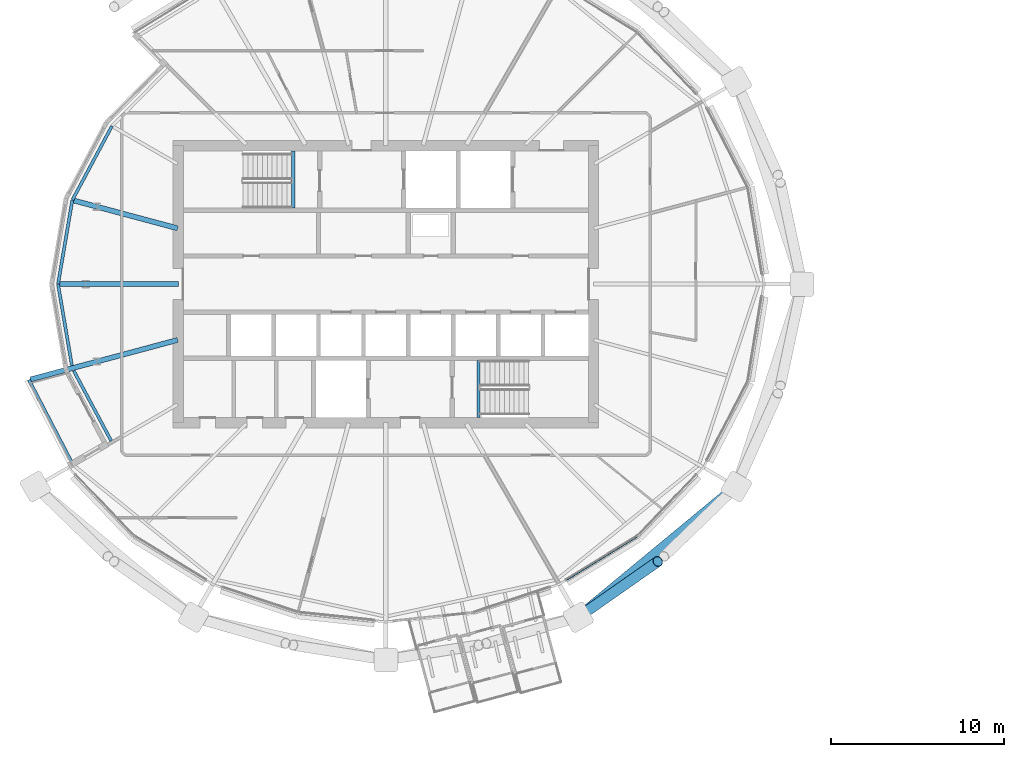
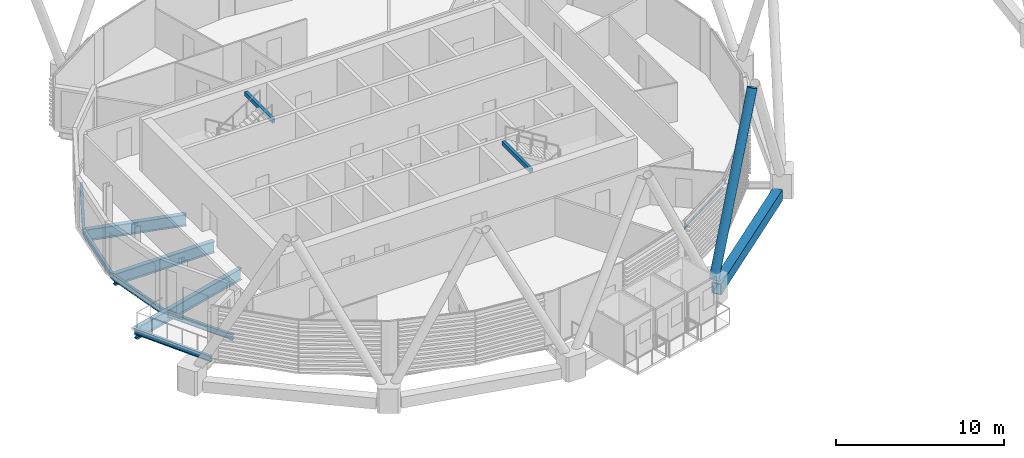
# One storey, part 5 of 35: 11 beams, 2 members, 1 element without a shape of its own.
"""IFC4 building model written with IfcOpenShell, lengths in metres."""

from ifc_helpers import new_model, si_unit, direction, frame, origin, origin_2d, place, context, subcontext, project, spatial, rectangle, hollow_rectangle, hollow_circle, i_section, extrude, material, material_profile, profile_set, type_object, element, aggregate, save


model = new_model("IFC4")

# Units and contexts
model_context = context("Model", 3, precision=1e-05, world=origin(), true_north=direction((0.0, 1.0)))
body_context = subcontext(model_context, "Body", "Model", "MODEL_VIEW")
ifc_project = project(units=[si_unit("LENGTHUNIT", "METRE"), si_unit("AREAUNIT", "SQUARE_METRE"), si_unit("VOLUMEUNIT", "CUBIC_METRE"), si_unit("PLANEANGLEUNIT", "RADIAN"), si_unit("MASSUNIT", "GRAM", prefix="KILO")], contexts=[model_context])

# Site, building, storey
site_placement = place(None, origin())
site = spatial("IfcSite", under=ifc_project, at=site_placement, CompositionType="ELEMENT")
building_placement = place(site_placement, origin())
building = spatial("IfcBuilding", under=site, at=building_placement, Name="Rimbun Link Towers", CompositionType="ELEMENT")
storey_placement = place(building_placement, frame((0.0, 0.0, 181.699951171875)))
storey = spatial("IfcBuildingStorey", under=building, at=storey_placement, Name="L44", CompositionType="ELEMENT", Elevation=181.699951171875)

# Curtain wall, member
ifc_material_1 = material(Name="Aluminium 6063-T6 and low-iron glass", Category="aluminium")
curtain_wall_type = type_object("IfcCurtainWallType", Name="CW1-Z3 unitised vision wall (zone 3)", PredefinedType="NOTDEFINED", material=ifc_material_1)
curtain_wall_placement = place(storey_placement, origin())
curtain_wall = element("IfcCurtainWall", 1, at=curtain_wall_placement, inside=storey, type_object=curtain_wall_type, Name="CW1 L44 T1", PredefinedType="NOTDEFINED")
ifc_material_2 = material(Name="Aluminium 6063-T6", Category="aluminium")
ifc_material_profile_1 = material_profile(ifc_material_2, rectangle(XDim=0.06005859375, YDim=0.1201171875, at=origin_2d()), Name="TRANSOM 60X120")
ifc_profile_set_1 = profile_set([ifc_material_profile_1], Name="Aluminium 6063-T6")
member_type_1 = type_object("IfcMemberType", Name="CW1 transom 60X120", PredefinedType="USERDEFINED", material=ifc_profile_set_1)
member_1_placement = place(storey_placement, frame((-17.225341796875, -14.5849609375, 3.199951171875), z_axis=(-0.85220023098, -0.523215793261, 0.0), x_axis=(0.523215793261, -0.85220023098, 0.0)))
member_1 = element("IfcMember", 2, at=member_1_placement, type_object=member_type_1, Name="CW1 transom", ObjectType="TRANSOM", PredefinedType="USERDEFINED", context=body_context, shape_type="SweptSolid", body=[
    extrude(rectangle(XDim=0.06005859375, YDim=0.1201171875, at=origin_2d()), origin(), (0.0, 0.0, 1.0), 4.806640625),
])
aggregate(curtain_wall, [member_1])

# Member
ifc_material_3 = material(Name="Steel S355J2H", Category="steel")
ifc_material_profile_2 = material_profile(ifc_material_3, hollow_circle(Radius=0.3046875, WallThickness=0.02490234375, at=origin_2d()), Name="Diagrid diagonal CHS 610x25")
ifc_profile_set_2 = profile_set([ifc_material_profile_2], Name="Steel S355J2H")
member_type_2 = type_object("IfcMemberType", Name="Diagrid diagonal CHS 610x25", PredefinedType="BRACE", material=ifc_profile_set_2)
member_2_placement = place(storey_placement, frame((-20.44921875, -19.119384765625, 0.445068359375), z_axis=(0.373562050298, 0.261596800469, 0.889954217116), x_axis=(-0.57361445086, 0.819125424928, 0.0)))
element("IfcMember", 3, at=member_2_placement, inside=storey, type_object=member_type_2, Name="Diagrid diagonal T1 L44-L47 20b", PredefinedType="BRACE", context=body_context, shape_type="SweptSolid", body=[
    extrude(hollow_circle(Radius=0.3046875, WallThickness=0.02490234375, at=origin_2d()), origin(), (0.0, 0.0, 1.0), 11.8095703125),
])

# Beams
ifc_material_4 = material(Name="Steel S355J2", Category="steel")
ifc_material_profile_3 = material_profile(ifc_material_4, hollow_rectangle(XDim=0.60009765625, YDim=0.800048828125, WallThickness=0.0400390625, at=origin_2d()), Name="Exoskeleton ring girder BOX 600x800x40")
ifc_profile_set_3 = profile_set([ifc_material_profile_3], Name="Steel S355J2")
beam_type_1 = type_object("IfcBeamType", Name="Exoskeleton ring girder BOX 600x800x40", PredefinedType="BEAM", material=ifc_profile_set_3)
beam_1_placement = place(storey_placement, frame((-20.09619140625, -18.80419921875, -0.56005859375), z_axis=(0.770799780036, 0.637077467108, 0.0), x_axis=(-0.637077467108, 0.770799780036, 0.0)))
element("IfcBeam", 4, at=beam_1_placement, inside=storey, type_object=beam_type_1, Name="Exoskeleton ring girder L44 08", PredefinedType="BEAM", context=body_context, shape_type="SweptSolid", body=[
    extrude(hollow_rectangle(XDim=0.60009765625, YDim=0.800048828125, WallThickness=0.0400390625, at=origin_2d()), origin(), (0.0, 0.0, 1.0), 10.459716796875),
])
ifc_material_5 = material(Name="Steel S355J2", Category="steel")
ifc_material_profile_4 = material_profile(ifc_material_5, hollow_rectangle(XDim=0.199951171875, YDim=0.300048828125, WallThickness=0.011962890625, at=origin_2d()), Name="BOX 300x200x12")
ifc_profile_set_4 = profile_set([ifc_material_profile_4], Name="Steel S355J2")
beam_type_2 = type_object("IfcBeamType", Name="Stair trimmer beam BOX 300x200x12", PredefinedType="BEAM", material=ifc_profile_set_4)
for number, where, z_axis, x_axis, name in (
    (5, (-37.10009765625, 7.699951171875, 3.5), (0.0, -1.0, 0.0), (1.0, 0.0, 0.0), "L44 ST1 stair beam 1"),
    (6, (-26.39990234375, -7.699951171875, 3.5), (0.0, 1.0, 0.0), (-1.0, 0.0, 0.0), "L44 ST2 stair beam 1"),
):
    element("IfcBeam", number, at=place(storey_placement, frame(where, z_axis=z_axis, x_axis=x_axis)), inside=storey, type_object=beam_type_2, Name=name, PredefinedType="BEAM", context=body_context, shape_type="SweptSolid", body=[
        extrude(hollow_rectangle(XDim=0.199951171875, YDim=0.300048828125, WallThickness=0.011962890625, at=origin_2d()), origin(), (0.0, 0.0, 1.0), 3.300048828125),
    ])
ifc_material_6 = material(Name="Steel S355J2", Category="steel")
ifc_material_profile_5 = material_profile(ifc_material_6, i_section(OverallWidth=0.177978515625, OverallDepth=0.406494140625, WebThickness=0.0078125, FlangeThickness=0.0126953125, at=origin_2d()), Name="UB 406x178x60")
ifc_profile_set_5 = profile_set([ifc_material_profile_5], Name="Steel S355J2")
beam_type_3 = type_object("IfcBeamType", Name="UB 406x178x60", PredefinedType="BEAM", material=ifc_profile_set_5)
beam_2_placement = place(storey_placement, frame((-47.588134765625, 9.1279296875, -0.353271484375), z_axis=(-0.471417274122, -0.881910286627, 0.0), x_axis=(0.881910286627, -0.471417274122, 0.0)))
element("IfcBeam", 7, at=beam_2_placement, inside=storey, type_object=beam_type_3, Name="Edge beam T1 L44 10 recess", PredefinedType="BEAM", context=body_context, shape_type="SweptSolid", body=[
    extrude(i_section(OverallWidth=0.177978515625, OverallDepth=0.406494140625, WebThickness=0.0078125, FlangeThickness=0.0126953125, at=origin_2d()), origin(), (0.0, 0.0, 1.0), 4.828857421875),
])
beam_3_placement = place(storey_placement, frame((-49.874267578125, 4.840576171875, -0.353271484375), z_axis=(-0.167666281056, -0.985843810244, 0.0), x_axis=(0.985843810244, -0.167666281056, 0.0)))
element("IfcBeam", 8, at=beam_3_placement, inside=storey, type_object=beam_type_3, Name="Edge beam T1 L44 11 recess", PredefinedType="BEAM", context=body_context, shape_type="SweptSolid", body=[
    extrude(i_section(OverallWidth=0.177978515625, OverallDepth=0.406494140625, WebThickness=0.0078125, FlangeThickness=0.0126953125, at=origin_2d()), origin(), (0.0, 0.0, 1.0), 4.89404296875),
])
beam_4_placement = place(storey_placement, frame((-50.69482421875, -0.015869140625, -0.353271484375), z_axis=(0.167654900941, -0.985845745637, 0.0), x_axis=(0.985845745637, 0.167654900941, 0.0)))
element("IfcBeam", 9, at=beam_4_placement, inside=storey, type_object=beam_type_3, Name="Edge beam T1 L44 12 recess", PredefinedType="BEAM", context=body_context, shape_type="SweptSolid", body=[
    extrude(i_section(OverallWidth=0.177978515625, OverallDepth=0.406494140625, WebThickness=0.0078125, FlangeThickness=0.0126953125, at=origin_2d()), origin(), (0.0, 0.0, 1.0), 4.753173828125),
])
beam_5_placement = place(storey_placement, frame((-49.790771484375, -5.00732421875, -0.353271484375), z_axis=(0.471422233734, -0.881907635493, 0.0), x_axis=(0.881907635493, 0.471422233734, 0.0)))
element("IfcBeam", 10, at=beam_5_placement, inside=storey, type_object=beam_type_3, Name="Edge beam T1 L44 13 recess", PredefinedType="BEAM", context=body_context, shape_type="SweptSolid", body=[
    extrude(i_section(OverallWidth=0.177978515625, OverallDepth=0.406494140625, WebThickness=0.0078125, FlangeThickness=0.0126953125, at=origin_2d()), origin(), (0.0, 0.0, 1.0), 4.58740234375),
])
beam_6_placement = place(storey_placement, frame((-52.38330078125, -5.52978515625, -0.353271484375), z_axis=(0.460714534576, -0.887548374812, 0.0), x_axis=(0.887548374812, 0.460714534576, 0.0)))
element("IfcBeam", 11, at=beam_6_placement, inside=storey, type_object=beam_type_3, Name="Edge beam T1 L44 13 terrace", PredefinedType="BEAM", context=body_context, shape_type="SweptSolid", body=[
    extrude(i_section(OverallWidth=0.177978515625, OverallDepth=0.406494140625, WebThickness=0.0078125, FlangeThickness=0.0126953125, at=origin_2d()), origin(), (0.0, 0.0, 1.0), 5.433349609375),
])
ifc_material_7 = material(Name="Steel S355J2", Category="steel")
ifc_material_profile_6 = material_profile(ifc_material_7, i_section(OverallWidth=0.29248046875, OverallDepth=0.8408203125, WebThickness=0.0126953125, FlangeThickness=0.021728515625, at=origin_2d()), Name="UB 838x292x194")
ifc_profile_set_6 = profile_set([ifc_material_profile_6], Name="Steel S355J2")
beam_type_4 = type_object("IfcBeamType", Name="UB 838x292x194", PredefinedType="BEAM", material=ifc_profile_set_6)
beam_7_placement = place(storey_placement, frame((-43.788818359375, 3.225830078125, -0.5703125), z_axis=(-0.965921541248, 0.258835036563, 0.0), x_axis=(-0.258835036563, -0.965921541248, 0.0)))
element("IfcBeam", 12, at=beam_7_placement, inside=storey, type_object=beam_type_4, Name="Radial beam T1 L44 11", PredefinedType="BEAM", context=body_context, shape_type="SweptSolid", body=[
    extrude(i_section(OverallWidth=0.29248046875, OverallDepth=0.8408203125, WebThickness=0.0126953125, FlangeThickness=0.021728515625, at=origin_2d()), origin(), (0.0, 0.0, 1.0), 6.207275390625),
])
beam_8_placement = place(storey_placement, frame((-43.7509765625, 0.0, -0.5703125), z_axis=(-1.0, 0.0, 0.0), x_axis=(0.0, -1.0, 0.0)))
element("IfcBeam", 13, at=beam_8_placement, inside=storey, type_object=beam_type_4, Name="Radial beam T1 L44 12", PredefinedType="BEAM", context=body_context, shape_type="SweptSolid", body=[
    extrude(i_section(OverallWidth=0.29248046875, OverallDepth=0.8408203125, WebThickness=0.0126953125, FlangeThickness=0.021728515625, at=origin_2d()), origin(), (0.0, 0.0, 1.0), 6.8564453125),
])
beam_9_placement = place(storey_placement, frame((-43.788818359375, -3.225830078125, -0.5703125), z_axis=(-0.965930108214, -0.258803064211, 0.0), x_axis=(0.258803064211, -0.965930108214, 0.0)))
element("IfcBeam", 14, at=beam_9_placement, inside=storey, type_object=beam_type_4, Name="Radial beam T1 L44 13", PredefinedType="BEAM", context=body_context, shape_type="SweptSolid", body=[
    extrude(i_section(OverallWidth=0.29248046875, OverallDepth=0.8408203125, WebThickness=0.0126953125, FlangeThickness=0.021728515625, at=origin_2d()), origin(), (0.0, 0.0, 1.0), 8.80615234375),
])

save(model, "model.ifc")
